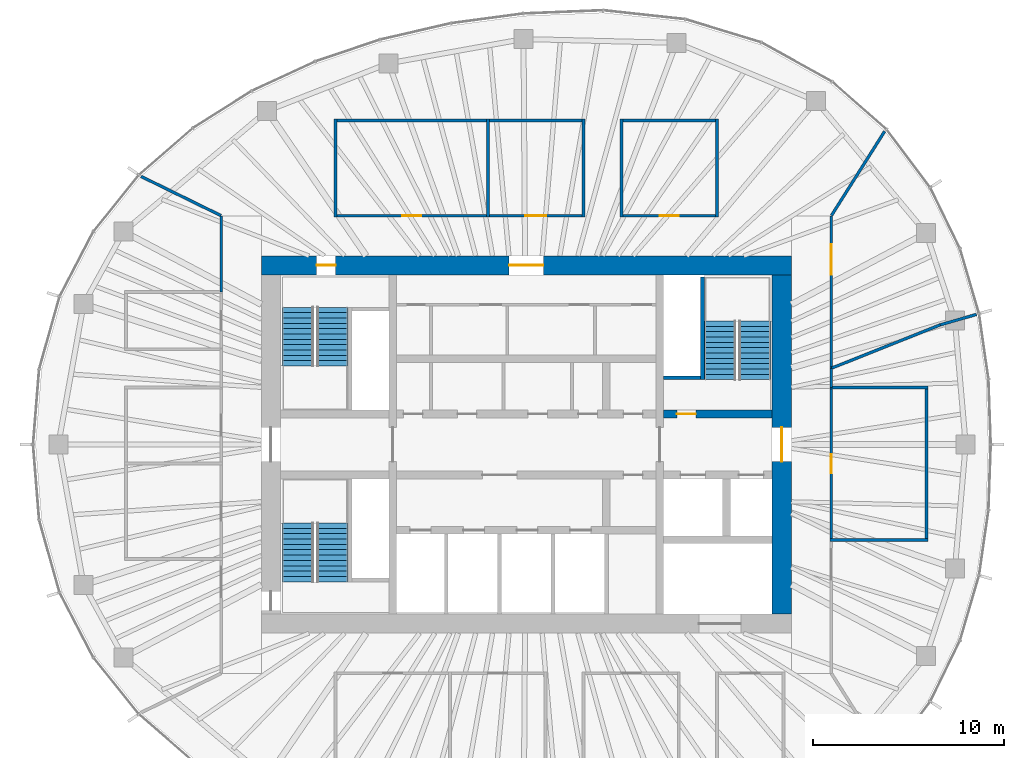
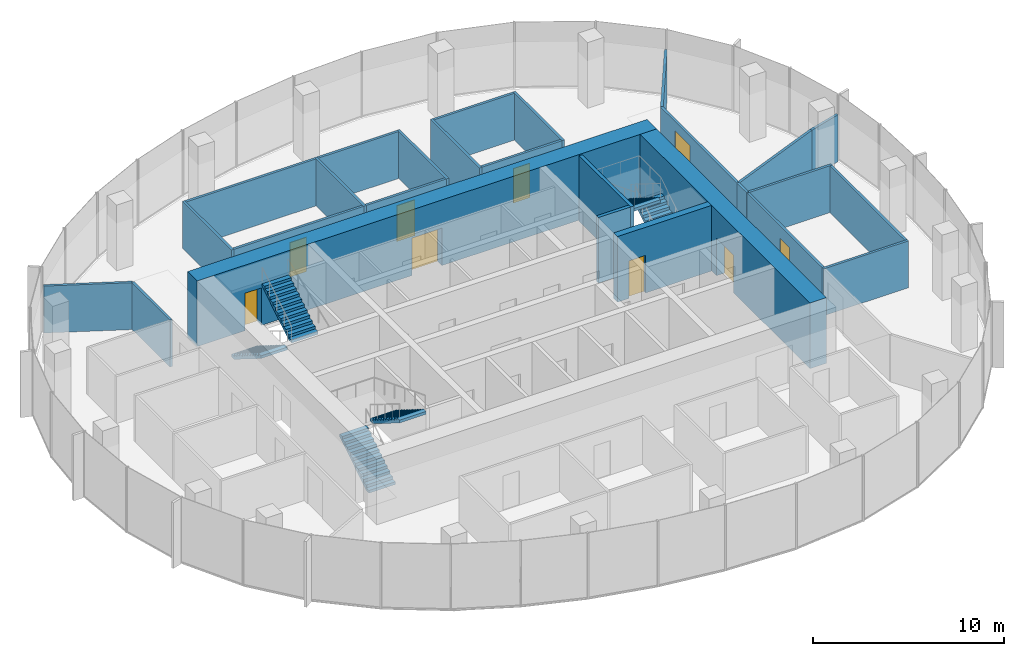
# One storey, part 10 of 11: 27 walls, 9 doors, 6 stair flights, 9 openings, 3 elements without a shape of their own.
"""IFC4 building model written with IfcOpenShell, lengths in metres."""

import ifcopenshell
import ifcopenshell.guid

model = None  # the IFC model being written
_history = None  # IfcOwnerHistory: only IFC2X3 demands one
_inside = {}  # id of a spatial element -> (the spatial element, [elements in it])
_under = {}  # id of a project, library or spatial element -> (it, [spatial elements below it])
_declared = {}  # id of a project -> (the project, [libraries it declares])
_typed = {}  # id of a type object -> (the type object, [elements of that type])
_made_of = {}  # id of a material, layer set ... -> (it, [elements and type objects made of it])


def new_model(schema):
    """Start an empty IFC model of exactly this schema.

    Asked for "IFC4X3", IfcOpenShell would pick the latest addendum, in which some entities
    have other attributes; the version numbers below select the first issue.
    IFC2X3 requires an IfcOwnerHistory on every rooted entity: one is made here for all.
    """
    global model, _history
    if schema == "IFC4X3":
        model = ifcopenshell.file(schema_version=(4, 3, 0, 0))
    else:
        model = ifcopenshell.file(schema=schema)
    _inside.clear()
    _under.clear()
    _declared.clear()
    _typed.clear()
    _made_of.clear()
    _history = None
    if model.schema == "IFC2X3":
        org = make("IfcOrganization", Name="unknown")
        user = make(
            "IfcPersonAndOrganization",
            ThePerson=make("IfcPerson", FamilyName="unknown"),
            TheOrganization=org,
        )
        app = make(
            "IfcApplication",
            ApplicationDeveloper=org,
            Version="unknown",
            ApplicationFullName="unknown",
            ApplicationIdentifier="unknown",
        )
        _history = make(
            "IfcOwnerHistory",
            OwningUser=user,
            OwningApplication=app,
            ChangeAction="ADDED",
            CreationDate=0,
        )
    return model


def make(cls, **values):
    """One entity of the class cls with the attributes given. An attribute that is None is left unset."""
    return model.create_entity(
        cls, **{name: value for name, value in values.items() if value is not None}
    )


def rooted(cls, **values):
    """An entity with a GlobalId (a new one), such as an element, a storey or a relation."""
    return make(cls, GlobalId=ifcopenshell.guid.new(), OwnerHistory=_history, **values)


def si_unit(unit_type, name, prefix=None):
    """IfcSIUnit, for example si_unit("LENGTHUNIT", "METRE", prefix="MILLI")."""
    return make("IfcSIUnit", UnitType=unit_type, Prefix=prefix, Name=name)


def assignment(units):
    """IfcUnitAssignment: the units of a project."""
    return None if units is None else make("IfcUnitAssignment", Units=units)


def point(xyz):
    """IfcCartesianPoint."""
    return None if xyz is None else make("IfcCartesianPoint", Coordinates=xyz)


def direction(xyz):
    """IfcDirection."""
    return None if xyz is None else make("IfcDirection", DirectionRatios=xyz)


def frame(location, z_axis=None, x_axis=None):
    """IfcAxis2Placement3D, a coordinate frame: its origin and axes. An axis left out is left unset."""
    return make(
        "IfcAxis2Placement3D",
        Location=point(location),
        Axis=direction(z_axis),
        RefDirection=direction(x_axis),
    )


def frame_2d(location, x_axis=None):
    """IfcAxis2Placement2D, a coordinate frame in the plane: its origin and x axis."""
    return make(
        "IfcAxis2Placement2D", Location=point(location), RefDirection=direction(x_axis)
    )


def origin():
    """The frame at (0, 0, 0) with its axes left unset."""
    return frame((0.0, 0.0, 0.0))


def place(relative_to, where):
    """IfcLocalPlacement: puts the frame where relative to a parent placement (None: the world)."""
    return make(
        "IfcLocalPlacement", PlacementRelTo=relative_to, RelativePlacement=where
    )


def context(
    kind, dimensions, precision=None, world=None, true_north=None, identifier=None
):
    """IfcGeometricRepresentationContext, for example the 3D "Model" context."""
    return make(
        "IfcGeometricRepresentationContext",
        ContextIdentifier=identifier,
        ContextType=kind,
        CoordinateSpaceDimension=dimensions,
        Precision=precision,
        WorldCoordinateSystem=world,
        TrueNorth=true_north,
    )


def subcontext(parent, identifier, kind, view, scale=None):
    """IfcGeometricRepresentationSubContext, for example "Body" below "Model"."""
    return make(
        "IfcGeometricRepresentationSubContext",
        ContextIdentifier=identifier,
        ContextType=kind,
        ParentContext=parent,
        TargetScale=scale,
        TargetView=view,
    )


def project(units=None, contexts=None):
    """IfcProject with its units and contexts."""
    return rooted(
        "IfcProject",
        Name="project",
        RepresentationContexts=contexts,
        UnitsInContext=assignment(units),
    )


def spatial(cls, under=None, at=None, **own):
    """A site, building, storey or space (cls), placed at a placement, below another one or the project."""
    s = rooted(cls, ObjectPlacement=at, **own)
    if under is not None:
        _under.setdefault(under.id(), (under, []))[1].append(s)
    return s


def polyline(points):
    """IfcPolyline through the points."""
    return make("IfcPolyline", Points=[point(p) for p in points])


def profile(cls, at=None, kind="AREA", **sizes):
    """A parametric profile (cls). Its sizes go by their IFC names, for example OverallWidth=200.0."""
    return make(cls, ProfileType=kind, Position=at, **sizes)


def rectangle(**sizes):
    """IfcRectangleProfileDef."""
    return profile("IfcRectangleProfileDef", **sizes)


def outline(outer, holes=None, kind="AREA"):
    """IfcArbitraryClosedProfileDef: a profile drawn as a closed curve; with holes, ...WithVoids."""
    if holes is None:
        return make("IfcArbitraryClosedProfileDef", ProfileType=kind, OuterCurve=outer)
    return make(
        "IfcArbitraryProfileDefWithVoids",
        ProfileType=kind,
        OuterCurve=outer,
        InnerCurves=holes,
    )


def extrude(swept, where, along, depth):
    """IfcExtrudedAreaSolid: the profile swept, set in the frame where, extruded along a direction by depth."""
    return make(
        "IfcExtrudedAreaSolid",
        SweptArea=swept,
        Position=where,
        ExtrudedDirection=direction(along),
        Depth=depth,
    )


def shape(context_of_items, identifier, shape_type, items):
    """IfcShapeRepresentation: the items that make up one representation, for example the "Body"."""
    return make(
        "IfcShapeRepresentation",
        ContextOfItems=context_of_items,
        RepresentationIdentifier=identifier,
        RepresentationType=shape_type,
        Items=items,
    )


def material(Name=None, Category=None):
    """IfcMaterial."""
    return make("IfcMaterial", Name=Name, Category=Category)


def layer(
    of_material, thickness, ventilated=None, Name=None, Category=None, Priority=None
):
    """IfcMaterialLayer: one layer of a wall or slab, of a material (None: an air gap)."""
    return make(
        "IfcMaterialLayer",
        Material=of_material,
        LayerThickness=thickness,
        IsVentilated=ventilated,
        Name=Name,
        Category=Category,
        Priority=Priority,
    )


def layer_set(layers, Name=None):
    """IfcMaterialLayerSet."""
    return make("IfcMaterialLayerSet", MaterialLayers=layers, LayerSetName=Name)


def made_of(thing, what):
    """Note that an element or type object is made of a material, layer set ...; save() writes the relation."""
    if what is not None:
        _made_of.setdefault(what.id(), (what, []))[1].append(thing)
    return thing


def type_object(cls, material=None, **own):
    """A type object (cls), such as IfcWallType, which elements share."""
    return made_of(rooted(cls, **own), material)


def element(
    cls,
    number,
    at=None,
    inside=None,
    cuts=None,
    type_object=None,
    material=None,
    context=None,
    identifier="Body",
    shape_type=None,
    held_by="IfcProductDefinitionShape",
    body=None,
    shapes=None,
    **own,
):
    """One element of the class cls, such as IfcWall. Its Tag is "e" and its number.

    at: its placement. inside: the storey or other place that contains it. cuts: it is an
    opening in that element (IfcRelVoidsElement). A single representation is given by context,
    identifier, shape_type and body (its items); several are given by shapes. held_by: the class
    of the entity that holds the representations. save() writes the other relations.
    """
    e = rooted(cls, Tag="e%d" % number, ObjectPlacement=at, **own)
    if body is not None:
        shapes = [shape(context, identifier, shape_type, body)]
    if shapes is not None:
        e.Representation = make(held_by, Representations=shapes)
    if inside is not None:
        _inside.setdefault(inside.id(), (inside, []))[1].append(e)
    if cuts is not None:
        rooted(
            "IfcRelVoidsElement", RelatingBuildingElement=cuts, RelatedOpeningElement=e
        )
    if type_object is not None:
        _typed.setdefault(type_object.id(), (type_object, []))[1].append(e)
    return made_of(e, material)


def fill(opening, filler):
    """IfcRelFillsElement: the door or window that sits in an opening."""
    return rooted(
        "IfcRelFillsElement",
        RelatingOpeningElement=opening,
        RelatedBuildingElement=filler,
    )


def aggregate(whole, parts):
    """IfcRelAggregates: a whole, such as a stair, and the parts it consists of."""
    return rooted("IfcRelAggregates", RelatingObject=whole, RelatedObjects=parts)


def save(model, path):
    """Write the relations noted so far, then the file.

    IfcRelAggregates (storeys below a building ...), IfcRelContainedInSpatialStructure (elements
    in a storey), IfcRelDefinesByType, IfcRelAssociatesMaterial and IfcRelDeclares: one each for
    every whole, place, type object, material and project.
    """
    for whole, parts in _under.values():
        aggregate(whole, parts)
    for where, things in _inside.values():
        rooted(
            "IfcRelContainedInSpatialStructure",
            RelatedElements=things,
            RelatingStructure=where,
        )
    for kind, things in _typed.values():
        rooted("IfcRelDefinesByType", RelatedObjects=things, RelatingType=kind)
    for what, things in _made_of.values():
        rooted("IfcRelAssociatesMaterial", RelatedObjects=things, RelatingMaterial=what)
    for by, libraries in _declared.values():
        rooted("IfcRelDeclares", RelatingContext=by, RelatedDefinitions=libraries)
    model.write(path)


model = new_model("IFC4")

# Units and contexts
model_context = context("Model", 3, precision=1e-05, world=origin(), true_north=direction((0.0, 1.0)))
body_context = subcontext(model_context, "Body", "Model", "MODEL_VIEW")
ifc_project = project(units=[si_unit("LENGTHUNIT", "METRE"), si_unit("AREAUNIT", "SQUARE_METRE"), si_unit("VOLUMEUNIT", "CUBIC_METRE"), si_unit("PLANEANGLEUNIT", "RADIAN"), si_unit("MASSUNIT", "GRAM", prefix="KILO")], contexts=[model_context])

# Site, building, storey
site_placement = place(None, origin())
site = spatial("IfcSite", under=ifc_project, at=site_placement, CompositionType="ELEMENT")
building_placement = place(site_placement, origin())
building = spatial("IfcBuilding", under=site, at=building_placement, Name="Ghaith Harvest Tower", CompositionType="ELEMENT")
storey_placement = place(building_placement, frame((0.0, 0.0, 330.0)))
storey = spatial("IfcBuildingStorey", under=building, at=storey_placement, Name="L74", CompositionType="ELEMENT", Elevation=330.0)

# Wall, openings, doors
ifc_material_1 = material(Name="Concrete C50/60", Category="concrete")
ifc_layer_1 = layer(ifc_material_1, 1.0)
ifc_layer_set_1 = layer_set([ifc_layer_1], Name="CORE WALL CW1000")
wall_type_1 = type_object("IfcWallType", Name="CORE WALL CW1000", PredefinedType="SHEAR", material=ifc_layer_set_1)
wall_1_placement = place(storey_placement, frame((13.89990234375, 9.39990234375, 0.0), z_axis=(0.0, 0.0, 1.0), x_axis=(-1.0, 0.0, 0.0)))
wall_1 = element("IfcWall", 1, at=wall_1_placement, inside=storey, type_object=wall_type_1, Name="Core wall N L74", PredefinedType="SHEAR", context=body_context, shape_type="SweptSolid", body=[
    extrude(rectangle(XDim=27.7998046875, YDim=1.0, at=frame_2d((13.89990234375, 0.0))), origin(), (0.0, 0.0, 1.0), 4.199951171875),
])
opening_1_placement = place(wall_1_placement, frame((23.89990234375, 0.0, 0.0)))
opening_1 = element("IfcOpeningElement", 2, at=opening_1_placement, cuts=wall_1, Name="Opening 74-005", PredefinedType="OPENING", context=body_context, shape_type="SweptSolid", body=[
    extrude(rectangle(XDim=1.0, YDim=2.39990234375, at=frame_2d((0.5, 1.199951171875))), frame((0.0, 0.510009765625, 0.0), z_axis=(0.0, -1.0, 0.0), x_axis=(1.0, 0.0, 0.0)), (0.0, 0.0, 1.0), 1.02001953125),
])
opening_2_placement = place(wall_1_placement, frame((13.0, 0.0, 0.0)))
opening_2 = element("IfcOpeningElement", 3, at=opening_2_placement, cuts=wall_1, Name="Opening 74-019", PredefinedType="OPENING", context=body_context, shape_type="SweptSolid", body=[
    extrude(rectangle(XDim=1.800048828125, YDim=2.39990234375, at=frame_2d((0.89990234375, 1.199951171875))), frame((0.0, 0.510009765625, 0.0), z_axis=(0.0, -1.0, 0.0), x_axis=(1.0, 0.0, 0.0)), (0.0, 0.0, 1.0), 1.02001953125),
])
ifc_material_2 = material(Name="Steel fire door", Category="steel")
door_type_1 = type_object("IfcDoorType", Name="D3 FD90 1000x2400", OperationType="SINGLE_SWING_LEFT", PredefinedType="DOOR", material=ifc_material_2)
door_1_placement = place(opening_1_placement, origin())
door_1 = element("IfcDoor", 4, at=door_1_placement, inside=storey, type_object=door_type_1, Name="Stair ST1 door", OperationType="SINGLE_SWING_RIGHT", OverallHeight=2.39990234375, OverallWidth=1.0, PredefinedType="DOOR", context=body_context, shape_type="SweptSolid", body=[
    extrude(rectangle(XDim=1.0, YDim=2.39990234375, at=frame_2d((0.5, 1.199951171875))), frame((0.0, 0.02490234375, 0.0), z_axis=(0.0, -1.0, 0.0), x_axis=(1.0, 0.0, 0.0)), (0.0, 0.0, 1.0), 0.050048828125),
])
fill(opening_1, door_1)
ifc_material_3 = material(Name="Steel fire door", Category="steel")
door_type_2 = type_object("IfcDoorType", Name="D4 FD90 PAIR 1800x2400", OperationType="DOUBLE_DOOR_SINGLE_SWING", PredefinedType="DOOR", material=ifc_material_3)
door_2_placement = place(opening_2_placement, origin())
door_2 = element("IfcDoor", 5, at=door_2_placement, inside=storey, type_object=door_type_2, Name="Core service corridor doors", OperationType="DOUBLE_DOOR_SINGLE_SWING", OverallHeight=2.39990234375, OverallWidth=1.800048828125, PredefinedType="DOOR", context=body_context, shape_type="SweptSolid", body=[
    extrude(rectangle(XDim=1.800048828125, YDim=2.39990234375, at=frame_2d((0.89990234375, 1.199951171875))), frame((0.0, 0.02490234375, 0.0), z_axis=(0.0, -1.0, 0.0), x_axis=(1.0, 0.0, 0.0)), (0.0, 0.0, 1.0), 0.050048828125),
])
fill(opening_2, door_2)

# Wall, opening, door
wall_2_placement = place(storey_placement, frame((13.39990234375, -8.89990234375, 0.0), z_axis=(0.0, 0.0, 1.0), x_axis=(0.0, 1.0, 0.0)))
wall_2 = element("IfcWall", 6, at=wall_2_placement, inside=storey, type_object=wall_type_1, Name="Core wall E L74", PredefinedType="SHEAR", context=body_context, shape_type="SweptSolid", body=[
    extrude(rectangle(XDim=17.7998046875, YDim=1.0, at=frame_2d((8.89990234375, 0.0))), origin(), (0.0, 0.0, 1.0), 4.199951171875),
])
opening_3_placement = place(wall_2_placement, frame((8.0, 0.0, 0.0)))
opening_3 = element("IfcOpeningElement", 7, at=opening_3_placement, cuts=wall_2, Name="Opening 74-002", PredefinedType="OPENING", context=body_context, shape_type="SweptSolid", body=[
    extrude(rectangle(XDim=1.800048828125, YDim=2.39990234375, at=frame_2d((0.89990234375, 1.199951171875))), frame((0.0, 0.510009765625, 0.0), z_axis=(0.0, -1.0, 0.0), x_axis=(1.0, 0.0, 0.0)), (0.0, 0.0, 1.0), 1.02001953125),
])
door_3_placement = place(opening_3_placement, origin())
door_3 = element("IfcDoor", 8, at=door_3_placement, inside=storey, type_object=door_type_2, Name="Fire-fighting lobby doors", OperationType="DOUBLE_DOOR_SINGLE_SWING", OverallHeight=2.39990234375, OverallWidth=1.800048828125, PredefinedType="DOOR", context=body_context, shape_type="SweptSolid", body=[
    extrude(rectangle(XDim=1.800048828125, YDim=2.39990234375, at=frame_2d((0.89990234375, 1.199951171875))), frame((0.0, 0.02490234375, 0.0), z_axis=(0.0, -1.0, 0.0), x_axis=(1.0, 0.0, 0.0)), (0.0, 0.0, 1.0), 0.050048828125),
])
fill(opening_3, door_3)

# Walls
ifc_material_4 = material(Name="Gypsum board on steel studs", Category="steel")
ifc_layer_2 = layer(ifc_material_4, 0.14990234375)
ifc_layer_set_2 = layer_set([ifc_layer_2], Name="PARTITION 150")
wall_type_2 = type_object("IfcWallType", Name="PARTITION 150", PredefinedType="PARTITIONING", material=ifc_layer_set_2)
for number, where, z_axis, x_axis, name in (
    (9, (-10.0, 11.925048828125, 0.0), (0.0, 0.0, 1.0), (0.0, 1.0, 0.0), "Partition L74 row N1 cross wall 1"),
    (10, (-2.0, 11.925048828125, 0.0), (0.0, 0.0, 1.0), (0.0, 1.0, 0.0), "Partition L74 row N1 cross wall 2"),
    (11, (3.0, 11.925048828125, 0.0), (0.0, 0.0, 1.0), (0.0, 1.0, 0.0), "Partition L74 row N1 cross wall 3"),
):
    element("IfcWall", number, at=place(storey_placement, frame(where, z_axis=z_axis, x_axis=x_axis)), inside=storey, type_object=wall_type_2, Name=name, PredefinedType="PARTITIONING", context=body_context, shape_type="SweptSolid", body=[
        extrude(rectangle(XDim=5.14990234375, YDim=0.14990234375, at=frame_2d((2.574951171875, 0.0))), origin(), (0.0, 0.0, 1.0), 3.0),
    ])

# Wall, opening, door
wall_3_placement = place(storey_placement, frame((-9.925048828125, 12.0, 0.0), z_axis=(0.0, 0.0, 1.0), x_axis=(1.0, 0.0, 0.0)))
wall_3 = element("IfcWall", 12, at=wall_3_placement, inside=storey, type_object=wall_type_2, Name="Partition L74-01", PredefinedType="PARTITIONING", context=body_context, shape_type="SweptSolid", body=[
    extrude(rectangle(XDim=7.85009765625, YDim=0.14990234375, at=frame_2d((3.925048828125, 0.0))), origin(), (0.0, 0.0, 1.0), 3.0),
])
opening_4_placement = place(wall_3_placement, frame((3.425048828125, 0.0, 0.0)))
opening_4 = element("IfcOpeningElement", 13, at=opening_4_placement, cuts=wall_3, Name="Opening 74-027", PredefinedType="OPENING", context=body_context, shape_type="SweptSolid", body=[
    extrude(rectangle(XDim=1.0, YDim=2.199951171875, at=frame_2d((0.5, 1.10009765625))), frame((0.0, 0.0849609375, 0.0), z_axis=(0.0, -1.0, 0.0), x_axis=(1.0, 0.0, 0.0)), (0.0, 0.0, 1.0), 0.169921875),
])
ifc_material_5 = material(Name="Timber door", Category="wood")
door_type_3 = type_object("IfcDoorType", Name="D1 SINGLE 1000x2200", OperationType="SINGLE_SWING_LEFT", PredefinedType="DOOR", material=ifc_material_5)
door_4_placement = place(opening_4_placement, origin())
door_4 = element("IfcDoor", 14, at=door_4_placement, inside=storey, type_object=door_type_3, Name="Test kitchen door", OperationType="SINGLE_SWING_LEFT", OverallHeight=2.199951171875, OverallWidth=1.0, PredefinedType="DOOR", context=body_context, shape_type="SweptSolid", body=[
    extrude(rectangle(XDim=1.0, YDim=2.199951171875, at=frame_2d((0.5, 1.10009765625))), frame((0.0, 0.02490234375, 0.0), z_axis=(0.0, -1.0, 0.0), x_axis=(1.0, 0.0, 0.0)), (0.0, 0.0, 1.0), 0.050048828125),
])
fill(opening_4, door_4)

# Wall
wall_4_placement = place(storey_placement, frame((-9.925048828125, 17.0, 0.0), z_axis=(0.0, 0.0, 1.0), x_axis=(1.0, 0.0, 0.0)))
element("IfcWall", 15, at=wall_4_placement, inside=storey, type_object=wall_type_2, Name="Partition L74-01", PredefinedType="PARTITIONING", context=body_context, shape_type="SweptSolid", body=[
    extrude(rectangle(XDim=7.85009765625, YDim=0.14990234375, at=frame_2d((3.925048828125, 0.0))), origin(), (0.0, 0.0, 1.0), 3.0),
])

# Wall, opening, door
wall_5_placement = place(storey_placement, frame((-1.925048828125, 12.0, 0.0), z_axis=(0.0, 0.0, 1.0), x_axis=(1.0, 0.0, 0.0)))
wall_5 = element("IfcWall", 16, at=wall_5_placement, inside=storey, type_object=wall_type_2, Name="Partition L74-02", PredefinedType="PARTITIONING", context=body_context, shape_type="SweptSolid", body=[
    extrude(rectangle(XDim=4.85009765625, YDim=0.14990234375, at=frame_2d((2.425048828125, 0.0))), origin(), (0.0, 0.0, 1.0), 3.0),
])
opening_5_placement = place(wall_5_placement, frame((1.875, 0.0, 0.0)))
opening_5 = element("IfcOpeningElement", 17, at=opening_5_placement, cuts=wall_5, Name="Opening 74-028", PredefinedType="OPENING", context=body_context, shape_type="SweptSolid", body=[
    extrude(rectangle(XDim=1.10009765625, YDim=2.300048828125, at=frame_2d((0.550048828125, 1.14990234375))), frame((0.0, 0.0849609375, 0.0), z_axis=(0.0, -1.0, 0.0), x_axis=(1.0, 0.0, 0.0)), (0.0, 0.0, 1.0), 0.169921875),
])
ifc_material_6 = material(Name="Timber-framed glazed door", Category="wood")
door_type_4 = type_object("IfcDoorType", Name="D12 GLAZED OFFICE 1100x2300", OperationType="SINGLE_SWING_LEFT", PredefinedType="DOOR", material=ifc_material_6)
door_5_placement = place(opening_5_placement, origin())
door_5 = element("IfcDoor", 18, at=door_5_placement, inside=storey, type_object=door_type_4, Name="Chef's office door", OperationType="SINGLE_SWING_LEFT", OverallHeight=2.300048828125, OverallWidth=1.10009765625, PredefinedType="DOOR", context=body_context, shape_type="SweptSolid", body=[
    extrude(rectangle(XDim=1.10009765625, YDim=2.300048828125, at=frame_2d((0.550048828125, 1.14990234375))), frame((0.0, 0.02490234375, 0.0), z_axis=(0.0, -1.0, 0.0), x_axis=(1.0, 0.0, 0.0)), (0.0, 0.0, 1.0), 0.050048828125),
])
fill(opening_5, door_5)

# Walls
wall_6_placement = place(storey_placement, frame((-1.925048828125, 17.0, 0.0), z_axis=(0.0, 0.0, 1.0), x_axis=(1.0, 0.0, 0.0)))
element("IfcWall", 19, at=wall_6_placement, inside=storey, type_object=wall_type_2, Name="Partition L74-02", PredefinedType="PARTITIONING", context=body_context, shape_type="SweptSolid", body=[
    extrude(rectangle(XDim=4.85009765625, YDim=0.14990234375, at=frame_2d((2.425048828125, 0.0))), origin(), (0.0, 0.0, 1.0), 3.0),
])
for number, where, z_axis, x_axis, name in (
    (20, (5.0, 11.925048828125, 0.0), (0.0, 0.0, 1.0), (0.0, 1.0, 0.0), "Partition L74 row N2 cross wall 1"),
    (21, (10.0, 11.925048828125, 0.0), (0.0, 0.0, 1.0), (0.0, 1.0, 0.0), "Partition L74 row N2 cross wall 2"),
):
    element("IfcWall", number, at=place(storey_placement, frame(where, z_axis=z_axis, x_axis=x_axis)), inside=storey, type_object=wall_type_2, Name=name, PredefinedType="PARTITIONING", context=body_context, shape_type="SweptSolid", body=[
        extrude(rectangle(XDim=5.14990234375, YDim=0.14990234375, at=frame_2d((2.574951171875, 0.0))), origin(), (0.0, 0.0, 1.0), 3.0),
    ])

# Wall, opening, door
wall_7_placement = place(storey_placement, frame((5.074951171875, 12.0, 0.0), z_axis=(0.0, 0.0, 1.0), x_axis=(1.0, 0.0, 0.0)))
wall_7 = element("IfcWall", 22, at=wall_7_placement, inside=storey, type_object=wall_type_2, Name="Partition L74-03", PredefinedType="PARTITIONING", context=body_context, shape_type="SweptSolid", body=[
    extrude(rectangle(XDim=4.85009765625, YDim=0.14990234375, at=frame_2d((2.425048828125, 0.0))), origin(), (0.0, 0.0, 1.0), 3.0),
])
opening_6_placement = place(wall_7_placement, frame((1.925048828125, 0.0, 0.0)))
opening_6 = element("IfcOpeningElement", 23, at=opening_6_placement, cuts=wall_7, Name="Opening 74-029", PredefinedType="OPENING", context=body_context, shape_type="SweptSolid", body=[
    extrude(rectangle(XDim=1.0, YDim=2.199951171875, at=frame_2d((0.5, 1.10009765625))), frame((0.0, 0.0849609375, 0.0), z_axis=(0.0, -1.0, 0.0), x_axis=(1.0, 0.0, 0.0)), (0.0, 0.0, 1.0), 0.169921875),
])
door_6_placement = place(opening_6_placement, origin())
door_6 = element("IfcDoor", 24, at=door_6_placement, inside=storey, type_object=door_type_3, Name="Preparation kitchen door", OperationType="SINGLE_SWING_LEFT", OverallHeight=2.199951171875, OverallWidth=1.0, PredefinedType="DOOR", context=body_context, shape_type="SweptSolid", body=[
    extrude(rectangle(XDim=1.0, YDim=2.199951171875, at=frame_2d((0.5, 1.10009765625))), frame((0.0, 0.02490234375, 0.0), z_axis=(0.0, -1.0, 0.0), x_axis=(1.0, 0.0, 0.0)), (0.0, 0.0, 1.0), 0.050048828125),
])
fill(opening_6, door_6)

# Walls
wall_8_placement = place(storey_placement, frame((5.074951171875, 17.0, 0.0), z_axis=(0.0, 0.0, 1.0), x_axis=(1.0, 0.0, 0.0)))
element("IfcWall", 25, at=wall_8_placement, inside=storey, type_object=wall_type_2, Name="Partition L74-03", PredefinedType="PARTITIONING", context=body_context, shape_type="SweptSolid", body=[
    extrude(rectangle(XDim=4.85009765625, YDim=0.14990234375, at=frame_2d((2.425048828125, 0.0))), origin(), (0.0, 0.0, 1.0), 3.0),
])
for number, where, z_axis, x_axis, name in (
    (26, (15.925048828125, -5.0, 0.0), (0.0, 0.0, 1.0), (1.0, 0.0, 0.0), "Partition L74 row E6 cross wall 1"),
    (27, (15.925048828125, 3.0, 0.0), (0.0, 0.0, 1.0), (1.0, 0.0, 0.0), "Partition L74 row E6 cross wall 2"),
):
    element("IfcWall", number, at=place(storey_placement, frame(where, z_axis=z_axis, x_axis=x_axis)), inside=storey, type_object=wall_type_2, Name=name, PredefinedType="PARTITIONING", context=body_context, shape_type="SweptSolid", body=[
        extrude(rectangle(XDim=5.14990234375, YDim=0.14990234375, at=frame_2d((2.574951171875, 0.0))), origin(), (0.0, 0.0, 1.0), 3.0),
    ])

# Wall, opening, door
wall_9_placement = place(storey_placement, frame((16.0, -4.925048828125, 0.0), z_axis=(0.0, 0.0, 1.0), x_axis=(0.0, 1.0, 0.0)))
wall_9 = element("IfcWall", 28, at=wall_9_placement, inside=storey, type_object=wall_type_2, Name="Partition L74-09", PredefinedType="PARTITIONING", context=body_context, shape_type="SweptSolid", body=[
    extrude(rectangle(XDim=7.85009765625, YDim=0.14990234375, at=frame_2d((3.925048828125, 0.0))), origin(), (0.0, 0.0, 1.0), 3.0),
])
opening_7_placement = place(wall_9_placement, frame((3.425048828125, 0.0, 0.0)))
opening_7 = element("IfcOpeningElement", 29, at=opening_7_placement, cuts=wall_9, Name="Opening 74-035", PredefinedType="OPENING", context=body_context, shape_type="SweptSolid", body=[
    extrude(rectangle(XDim=1.0, YDim=2.199951171875, at=frame_2d((0.5, 1.10009765625))), frame((0.0, 0.0849609375, 0.0), z_axis=(0.0, -1.0, 0.0), x_axis=(1.0, 0.0, 0.0)), (0.0, 0.0, 1.0), 0.169921875),
])
door_7_placement = place(opening_7_placement, origin())
door_7 = element("IfcDoor", 30, at=door_7_placement, inside=storey, type_object=door_type_3, Name="Microgreen nursery door", OperationType="SINGLE_SWING_LEFT", OverallHeight=2.199951171875, OverallWidth=1.0, PredefinedType="DOOR", context=body_context, shape_type="SweptSolid", body=[
    extrude(rectangle(XDim=1.0, YDim=2.199951171875, at=frame_2d((0.5, 1.10009765625))), frame((0.0, 0.02490234375, 0.0), z_axis=(0.0, -1.0, 0.0), x_axis=(1.0, 0.0, 0.0)), (0.0, 0.0, 1.0), 0.050048828125),
])
fill(opening_7, door_7)

# Walls
wall_10_placement = place(storey_placement, frame((21.0, -4.925048828125, 0.0), z_axis=(0.0, 0.0, 1.0), x_axis=(0.0, 1.0, 0.0)))
element("IfcWall", 31, at=wall_10_placement, inside=storey, type_object=wall_type_2, Name="Partition L74-09", PredefinedType="PARTITIONING", context=body_context, shape_type="SweptSolid", body=[
    extrude(rectangle(XDim=7.85009765625, YDim=0.14990234375, at=frame_2d((3.925048828125, 0.0))), origin(), (0.0, 0.0, 1.0), 3.0),
])
wall_11_placement = place(storey_placement, frame((-16.017822265625, 12.0087890625, 0.0), z_axis=(0.0, 0.0, 1.0), x_axis=(-0.897771840996, 0.440460805879, 0.0)))
element("IfcWall", 32, at=wall_11_placement, inside=storey, type_object=wall_type_2, Name="Partition L74 zone division", PredefinedType="PARTITIONING", context=body_context, shape_type="SweptSolid", body=[
    extrude(rectangle(XDim=4.66552734375, YDim=0.14990234375, at=frame_2d((2.332763671875, 0.0))), origin(), (0.0, 0.0, 1.0), 3.0),
])
wall_12_placement = place(storey_placement, frame((16.0107421875, 12.016845703125, 0.0), z_axis=(0.0, 0.0, 1.0), x_axis=(0.53415837449, 0.845384427916, 0.0)))
element("IfcWall", 33, at=wall_12_placement, inside=storey, type_object=wall_type_2, Name="Partition L74 zone division", PredefinedType="PARTITIONING", context=body_context, shape_type="SweptSolid", body=[
    extrude(rectangle(XDim=5.220458984375, YDim=0.14990234375, at=frame_2d((2.6103515625, 0.0))), origin(), (0.0, 0.0, 1.0), 3.0),
])
wall_13_placement = place(storey_placement, frame((16.02001953125, 4.008056640625, 0.0), z_axis=(0.0, 0.0, 1.0), x_axis=(0.929035834071, 0.36998975528, 0.0)))
element("IfcWall", 34, at=wall_13_placement, inside=storey, type_object=wall_type_2, Name="Partition L74 zone division", PredefinedType="PARTITIONING", context=body_context, shape_type="SweptSolid", body=[
    extrude(rectangle(XDim=6.13134765625, YDim=0.14990234375, at=frame_2d((3.065673828125, 0.0))), origin(), (0.0, 0.0, 1.0), 3.0),
])
wall_14_placement = place(storey_placement, frame((21.71630859375, 6.276611328125, 0.0), z_axis=(0.0, 0.0, 1.0), x_axis=(0.960705414675, 0.277570002366, 0.0)))
element("IfcWall", 35, at=wall_14_placement, inside=storey, type_object=wall_type_2, Name="Partition L74 zone division", PredefinedType="PARTITIONING", context=body_context, shape_type="SweptSolid", body=[
    extrude(rectangle(XDim=1.97998046875, YDim=0.14990234375, at=frame_2d((0.989990234375, 0.0))), origin(), (0.0, 0.0, 1.0), 3.0),
])

# Wall, opening, door
wall_15_placement = place(storey_placement, frame((16.0, 4.0, 0.0), z_axis=(0.0, 0.0, 1.0), x_axis=(0.0, 1.0, 0.0)))
wall_15 = element("IfcWall", 36, at=wall_15_placement, inside=storey, type_object=wall_type_2, Name="Partition L74 zone enclosure", PredefinedType="PARTITIONING", context=body_context, shape_type="SweptSolid", body=[
    extrude(rectangle(XDim=8.0, YDim=0.14990234375, at=frame_2d((4.0, 0.0))), origin(), (0.0, 0.0, 1.0), 3.0),
])
opening_8_placement = place(wall_15_placement, frame((4.89990234375, 0.0, 0.0)))
opening_8 = element("IfcOpeningElement", 37, at=opening_8_placement, cuts=wall_15, Name="Opening 74-038", PredefinedType="OPENING", context=body_context, shape_type="SweptSolid", body=[
    extrude(rectangle(XDim=1.60009765625, YDim=2.39990234375, at=frame_2d((0.800048828125, 1.199951171875))), frame((0.0, 0.0849609375, 0.0), z_axis=(0.0, -1.0, 0.0), x_axis=(1.0, 0.0, 0.0)), (0.0, 0.0, 1.0), 0.169921875),
])
ifc_material_7 = material(Name="Timber door", Category="wood")
door_type_5 = type_object("IfcDoorType", Name="D2 PAIR 1600x2400", OperationType="DOUBLE_DOOR_SINGLE_SWING", PredefinedType="DOOR", material=ifc_material_7)
door_8_placement = place(opening_8_placement, origin())
door_8 = element("IfcDoor", 38, at=door_8_placement, inside=storey, type_object=door_type_5, Name="Chef's growing area east 1 door", OperationType="DOUBLE_DOOR_SINGLE_SWING", OverallHeight=2.39990234375, OverallWidth=1.60009765625, PredefinedType="DOOR", context=body_context, shape_type="SweptSolid", body=[
    extrude(rectangle(XDim=1.60009765625, YDim=2.39990234375, at=frame_2d((0.800048828125, 1.199951171875))), frame((0.0, 0.02490234375, 0.0), z_axis=(0.0, -1.0, 0.0), x_axis=(1.0, 0.0, 0.0)), (0.0, 0.0, 1.0), 0.050048828125),
])
fill(opening_8, door_8)

# Walls
wall_16_placement = place(storey_placement, frame((16.0, 3.0, 0.0), z_axis=(0.0, 0.0, 1.0), x_axis=(0.0, 1.0, 0.0)))
element("IfcWall", 39, at=wall_16_placement, inside=storey, type_object=wall_type_2, Name="Partition L74 zone enclosure", PredefinedType="PARTITIONING", context=body_context, shape_type="SweptSolid", body=[
    extrude(rectangle(XDim=1.0, YDim=0.14990234375, at=frame_2d((0.5, 0.0))), origin(), (0.0, 0.0, 1.0), 3.0),
])
wall_17_placement = place(storey_placement, frame((-16.0, 12.0, 0.0), z_axis=(0.0, 0.0, 1.0), x_axis=(0.0, -1.0, 0.0)))
element("IfcWall", 40, at=wall_17_placement, inside=storey, type_object=wall_type_2, Name="Partition L74 zone enclosure", PredefinedType="PARTITIONING", context=body_context, shape_type="SweptSolid", body=[
    extrude(rectangle(XDim=4.0, YDim=0.14990234375, at=frame_2d((2.0, 0.0))), origin(), (0.0, 0.0, 1.0), 3.0),
])

# Wall, opening, door
ifc_material_8 = material(Name="Concrete C70/85", Category="concrete")
ifc_layer_3 = layer(ifc_material_8, 0.39990234375)
ifc_layer_set_3 = layer_set([ifc_layer_3], Name="SHAFT WALL 400")
wall_type_3 = type_object("IfcWallType", Name="SHAFT WALL 400", PredefinedType="SHEAR", material=ifc_layer_set_3)
wall_18_placement = place(storey_placement, frame((7.199951171875, 1.60009765625, 0.0), z_axis=(0.0, 0.0, 1.0), x_axis=(1.0, 0.0, 0.0)))
wall_18 = element("IfcWall", 41, at=wall_18_placement, inside=storey, type_object=wall_type_3, Name="Shaft wall EN L74", PredefinedType="SHEAR", context=body_context, shape_type="SweptSolid", body=[
    extrude(rectangle(XDim=5.699951171875, YDim=0.39990234375, at=frame_2d((2.85009765625, 0.0))), origin(), (0.0, 0.0, 1.0), 4.199951171875),
])
opening_9_placement = place(wall_18_placement, frame((0.699951171875, 0.0, 0.0)))
opening_9 = element("IfcOpeningElement", 42, at=opening_9_placement, cuts=wall_18, Name="Opening 74-007", PredefinedType="OPENING", context=body_context, shape_type="SweptSolid", body=[
    extrude(rectangle(XDim=1.0, YDim=2.39990234375, at=frame_2d((0.5, 1.199951171875))), frame((0.0, 0.2099609375, 0.0), z_axis=(0.0, -1.0, 0.0), x_axis=(1.0, 0.0, 0.0)), (0.0, 0.0, 1.0), 0.419921875),
])
door_9_placement = place(opening_9_placement, origin())
door_9 = element("IfcDoor", 43, at=door_9_placement, inside=storey, type_object=door_type_1, Name="Stair ST2 door", OperationType="SINGLE_SWING_LEFT", OverallHeight=2.39990234375, OverallWidth=1.0, PredefinedType="DOOR", context=body_context, shape_type="SweptSolid", body=[
    extrude(rectangle(XDim=1.0, YDim=2.39990234375, at=frame_2d((0.5, 1.199951171875))), frame((0.0, 0.02490234375, 0.0), z_axis=(0.0, -1.0, 0.0), x_axis=(1.0, 0.0, 0.0)), (0.0, 0.0, 1.0), 0.050048828125),
])
fill(opening_9, door_9)

# Walls
ifc_material_9 = material(Name="Concrete C40/50", Category="concrete")
ifc_layer_4 = layer(ifc_material_9, 0.199951171875)
ifc_layer_set_4 = layer_set([ifc_layer_4], Name="STAIR SPINE WALL RC200")
wall_type_4 = type_object("IfcWallType", Name="STAIR SPINE WALL RC200", PredefinedType="SOLIDWALL", material=ifc_layer_set_4)
wall_19_placement = place(storey_placement, frame((9.25, 3.39990234375, 0.0), z_axis=(0.0, 0.0, 1.0), x_axis=(0.0, 1.0, 0.0)))
element("IfcWall", 44, at=wall_19_placement, inside=storey, type_object=wall_type_4, Name="Stair ST2 spine wall L74", PredefinedType="SOLIDWALL", context=body_context, shape_type="SweptSolid", body=[
    extrude(rectangle(XDim=5.400146484375, YDim=0.199951171875, at=frame_2d((2.7001953125, 0.0))), origin(), (0.0, 0.0, 1.0), 4.199951171875),
])
wall_20_placement = place(storey_placement, frame((9.14990234375, 3.5, 0.0), z_axis=(0.0, 0.0, 1.0), x_axis=(-1.0, 0.0, 0.0)))
element("IfcWall", 45, at=wall_20_placement, inside=storey, type_object=wall_type_4, Name="Stair ST2 spine wall return L74", PredefinedType="SOLIDWALL", context=body_context, shape_type="SweptSolid", body=[
    extrude(rectangle(XDim=1.949951171875, YDim=0.199951171875, at=frame_2d((0.97509765625, 0.0))), origin(), (0.0, 0.0, 1.0), 4.199951171875),
])

# Stair, stair flights
ifc_material_10 = material(Name="Concrete C40/50, precast", Category="concrete")
stair_type = type_object("IfcStairType", Name="CORE STAIR 24R", PredefinedType="HALF_TURN_STAIR", material=ifc_material_10)
stair_1_placement = place(storey_placement, origin())
stair_1 = element("IfcStair", 46, at=stair_1_placement, inside=storey, type_object=stair_type, Name="Stair ST1 L74", PredefinedType="HALF_TURN_STAIR")
ifc_material_11 = material(Name="Concrete C40/50, precast", Category="concrete")
stair_flight_type = type_object("IfcStairFlightType", Name="CORE FLIGHT 12R 1600", PredefinedType="STRAIGHT", material=ifc_material_11)
stair_flight_1_placement = place(storey_placement, frame((-12.0, 7.199951171875, 0.0), z_axis=(0.0, 0.0, 1.0), x_axis=(0.0, -1.0, 0.0)))
stair_flight_1 = element("IfcStairFlight", 47, at=stair_flight_1_placement, type_object=stair_flight_type, Name="ST1 flight 1", NumberOfRisers=12, NumberOfTreads=11, PredefinedType="STRAIGHT", RiserHeight=0.175, TreadLength=0.28, context=body_context, shape_type="SweptSolid", body=[
    extrude(outline(polyline([(0.0, 0.0), (0.0, 0.175048828125), (0.280029296875, 0.175048828125), (0.280029296875, 0.35009765625), (0.56005859375, 0.35009765625), (0.56005859375, 0.52490234375), (0.840087890625, 0.52490234375), (0.840087890625, 0.699951171875), (1.1201171875, 0.699951171875), (1.1201171875, 0.875), (1.39990234375, 0.875), (1.39990234375, 1.050048828125), (1.679931640625, 1.050048828125), (1.679931640625, 1.22509765625), (1.9599609375, 1.22509765625), (1.9599609375, 1.39990234375), (2.239990234375, 1.39990234375), (2.239990234375, 1.574951171875), (2.52001953125, 1.574951171875), (2.52001953125, 1.75), (2.800048828125, 1.75), (2.800048828125, 1.925048828125), (3.080078125, 1.925048828125), (3.080078125, 2.10009765625), (3.080078125, 1.748291015625), (0.28271484375, 0.0), (0.0, 0.0)])), frame((0.0, 0.800048828125, 0.0), z_axis=(0.0, -1.0, 0.0), x_axis=(1.0, 0.0, 0.0)), (0.0, 0.0, 1.0), 1.60009765625),
])
stair_flight_2_placement = place(storey_placement, frame((-10.14990234375, 4.1201171875, 2.10009765625), z_axis=(0.0, 0.0, 1.0), x_axis=(0.0, 1.0, 0.0)))
stair_flight_2 = element("IfcStairFlight", 48, at=stair_flight_2_placement, type_object=stair_flight_type, Name="ST1 flight 2", NumberOfRisers=12, NumberOfTreads=11, PredefinedType="STRAIGHT", RiserHeight=0.175, TreadLength=0.28, context=body_context, shape_type="SweptSolid", body=[
    extrude(outline(polyline([(0.0, 0.0), (0.0, 0.175048828125), (0.280029296875, 0.175048828125), (0.280029296875, 0.35009765625), (0.56005859375, 0.35009765625), (0.56005859375, 0.52490234375), (0.840087890625, 0.52490234375), (0.840087890625, 0.699951171875), (1.1201171875, 0.699951171875), (1.1201171875, 0.875), (1.39990234375, 0.875), (1.39990234375, 1.050048828125), (1.679931640625, 1.050048828125), (1.679931640625, 1.22509765625), (1.9599609375, 1.22509765625), (1.9599609375, 1.39990234375), (2.239990234375, 1.39990234375), (2.239990234375, 1.574951171875), (2.52001953125, 1.574951171875), (2.52001953125, 1.75), (2.800048828125, 1.75), (2.800048828125, 1.925048828125), (3.080078125, 1.925048828125), (3.080078125, 2.10009765625), (3.080078125, 1.748291015625), (0.28271484375, 0.0), (0.0, 0.0)])), frame((0.0, 0.800048828125, 0.0), z_axis=(0.0, -1.0, 0.0), x_axis=(1.0, 0.0, 0.0)), (0.0, 0.0, 1.0), 1.60009765625),
])
aggregate(stair_1, [stair_flight_1, stair_flight_2])

stair_2_placement = place(storey_placement, origin())
stair_2 = element("IfcStair", 49, at=stair_2_placement, inside=storey, type_object=stair_type, Name="Stair ST3 L74", PredefinedType="HALF_TURN_STAIR")
stair_flight_3_placement = place(storey_placement, frame((-12.0, -7.199951171875, 0.0), z_axis=(0.0, 0.0, 1.0), x_axis=(0.0, 1.0, 0.0)))
stair_flight_3 = element("IfcStairFlight", 50, at=stair_flight_3_placement, type_object=stair_flight_type, Name="ST3 flight 1", NumberOfRisers=12, NumberOfTreads=11, PredefinedType="STRAIGHT", RiserHeight=0.175, TreadLength=0.28, context=body_context, shape_type="SweptSolid", body=[
    extrude(outline(polyline([(0.0, 0.0), (0.0, 0.175048828125), (0.280029296875, 0.175048828125), (0.280029296875, 0.35009765625), (0.56005859375, 0.35009765625), (0.56005859375, 0.52490234375), (0.840087890625, 0.52490234375), (0.840087890625, 0.699951171875), (1.1201171875, 0.699951171875), (1.1201171875, 0.875), (1.39990234375, 0.875), (1.39990234375, 1.050048828125), (1.679931640625, 1.050048828125), (1.679931640625, 1.22509765625), (1.9599609375, 1.22509765625), (1.9599609375, 1.39990234375), (2.239990234375, 1.39990234375), (2.239990234375, 1.574951171875), (2.52001953125, 1.574951171875), (2.52001953125, 1.75), (2.800048828125, 1.75), (2.800048828125, 1.925048828125), (3.080078125, 1.925048828125), (3.080078125, 2.10009765625), (3.080078125, 1.748291015625), (0.28271484375, 0.0), (0.0, 0.0)])), frame((0.0, 0.800048828125, 0.0), z_axis=(0.0, -1.0, 0.0), x_axis=(1.0, 0.0, 0.0)), (0.0, 0.0, 1.0), 1.60009765625),
])
stair_flight_4_placement = place(storey_placement, frame((-10.14990234375, -4.1201171875, 2.10009765625), z_axis=(0.0, 0.0, 1.0), x_axis=(0.0, -1.0, 0.0)))
stair_flight_4 = element("IfcStairFlight", 51, at=stair_flight_4_placement, type_object=stair_flight_type, Name="ST3 flight 2", NumberOfRisers=12, NumberOfTreads=11, PredefinedType="STRAIGHT", RiserHeight=0.175, TreadLength=0.28, context=body_context, shape_type="SweptSolid", body=[
    extrude(outline(polyline([(0.0, 0.0), (0.0, 0.175048828125), (0.280029296875, 0.175048828125), (0.280029296875, 0.35009765625), (0.56005859375, 0.35009765625), (0.56005859375, 0.52490234375), (0.840087890625, 0.52490234375), (0.840087890625, 0.699951171875), (1.1201171875, 0.699951171875), (1.1201171875, 0.875), (1.39990234375, 0.875), (1.39990234375, 1.050048828125), (1.679931640625, 1.050048828125), (1.679931640625, 1.22509765625), (1.9599609375, 1.22509765625), (1.9599609375, 1.39990234375), (2.239990234375, 1.39990234375), (2.239990234375, 1.574951171875), (2.52001953125, 1.574951171875), (2.52001953125, 1.75), (2.800048828125, 1.75), (2.800048828125, 1.925048828125), (3.080078125, 1.925048828125), (3.080078125, 2.10009765625), (3.080078125, 1.748291015625), (0.28271484375, 0.0), (0.0, 0.0)])), frame((0.0, 0.800048828125, 0.0), z_axis=(0.0, -1.0, 0.0), x_axis=(1.0, 0.0, 0.0)), (0.0, 0.0, 1.0), 1.60009765625),
])
aggregate(stair_2, [stair_flight_3, stair_flight_4])

stair_3_placement = place(storey_placement, origin())
stair_3 = element("IfcStair", 52, at=stair_3_placement, inside=storey, type_object=stair_type, Name="Stair ST2 L74", PredefinedType="HALF_TURN_STAIR")
stair_flight_5_placement = place(storey_placement, frame((12.0, 3.39990234375, 0.0), z_axis=(0.0, 0.0, 1.0), x_axis=(0.0, 1.0, 0.0)))
stair_flight_5 = element("IfcStairFlight", 53, at=stair_flight_5_placement, type_object=stair_flight_type, Name="ST2 flight 1", NumberOfRisers=12, NumberOfTreads=11, PredefinedType="STRAIGHT", RiserHeight=0.175, TreadLength=0.28, context=body_context, shape_type="SweptSolid", body=[
    extrude(outline(polyline([(0.0, 0.0), (0.0, 0.175048828125), (0.280029296875, 0.175048828125), (0.280029296875, 0.35009765625), (0.56005859375, 0.35009765625), (0.56005859375, 0.52490234375), (0.840087890625, 0.52490234375), (0.840087890625, 0.699951171875), (1.1201171875, 0.699951171875), (1.1201171875, 0.875), (1.39990234375, 0.875), (1.39990234375, 1.050048828125), (1.679931640625, 1.050048828125), (1.679931640625, 1.22509765625), (1.9599609375, 1.22509765625), (1.9599609375, 1.39990234375), (2.239990234375, 1.39990234375), (2.239990234375, 1.574951171875), (2.52001953125, 1.574951171875), (2.52001953125, 1.75), (2.800048828125, 1.75), (2.800048828125, 1.925048828125), (3.080078125, 1.925048828125), (3.080078125, 2.10009765625), (3.080078125, 1.748291015625), (0.28271484375, 0.0), (0.0, 0.0)])), frame((0.0, 0.800048828125, 0.0), z_axis=(0.0, -1.0, 0.0), x_axis=(1.0, 0.0, 0.0)), (0.0, 0.0, 1.0), 1.60009765625),
])
stair_flight_6_placement = place(storey_placement, frame((10.14990234375, 6.47998046875, 2.10009765625), z_axis=(0.0, 0.0, 1.0), x_axis=(0.0, -1.0, 0.0)))
stair_flight_6 = element("IfcStairFlight", 54, at=stair_flight_6_placement, type_object=stair_flight_type, Name="ST2 flight 2", NumberOfRisers=12, NumberOfTreads=11, PredefinedType="STRAIGHT", RiserHeight=0.175, TreadLength=0.28, context=body_context, shape_type="SweptSolid", body=[
    extrude(outline(polyline([(0.0, 0.0), (0.0, 0.175048828125), (0.280029296875, 0.175048828125), (0.280029296875, 0.35009765625), (0.56005859375, 0.35009765625), (0.56005859375, 0.52490234375), (0.840087890625, 0.52490234375), (0.840087890625, 0.699951171875), (1.1201171875, 0.699951171875), (1.1201171875, 0.875), (1.39990234375, 0.875), (1.39990234375, 1.050048828125), (1.679931640625, 1.050048828125), (1.679931640625, 1.22509765625), (1.9599609375, 1.22509765625), (1.9599609375, 1.39990234375), (2.239990234375, 1.39990234375), (2.239990234375, 1.574951171875), (2.52001953125, 1.574951171875), (2.52001953125, 1.75), (2.800048828125, 1.75), (2.800048828125, 1.925048828125), (3.080078125, 1.925048828125), (3.080078125, 2.10009765625), (3.080078125, 1.748291015625), (0.28271484375, 0.0), (0.0, 0.0)])), frame((0.0, 0.800048828125, 0.0), z_axis=(0.0, -1.0, 0.0), x_axis=(1.0, 0.0, 0.0)), (0.0, 0.0, 1.0), 1.60009765625),
])
aggregate(stair_3, [stair_flight_5, stair_flight_6])

save(model, "model.ifc")
